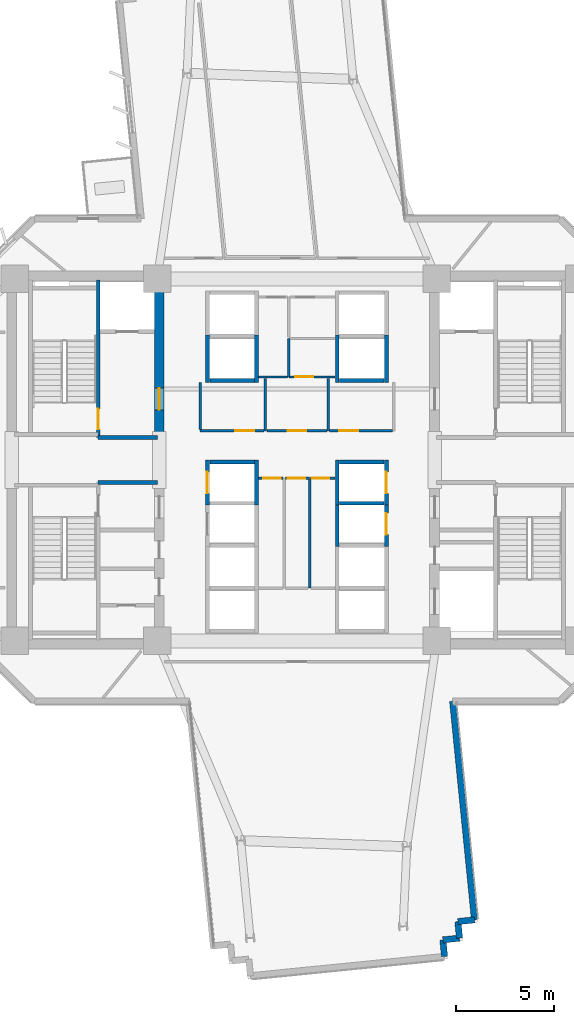
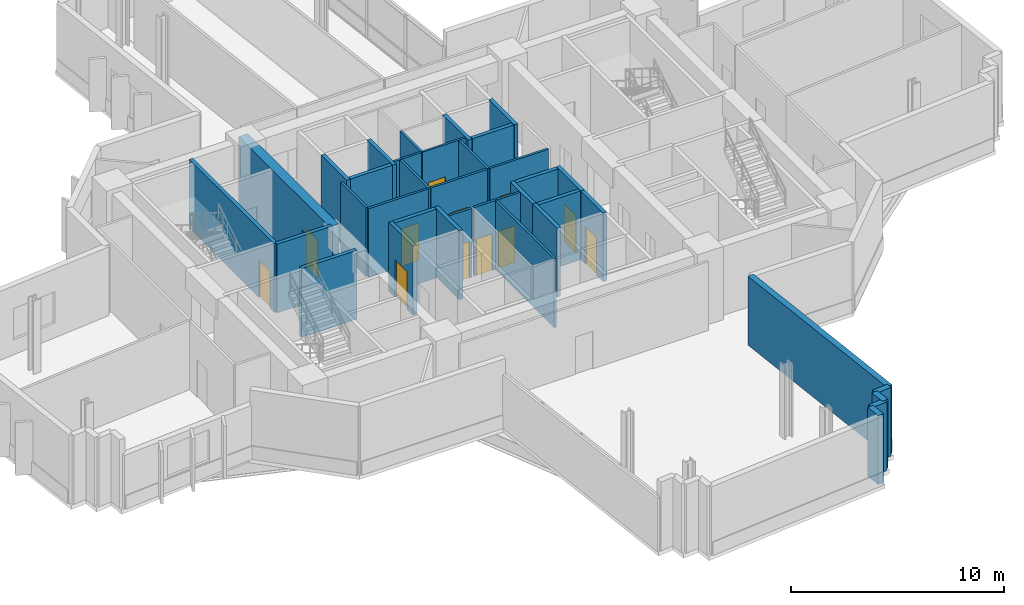
# One storey, part 7 of 14: 37 walls, 12 doors, 12 openings.
"""IFC4 building model written with IfcOpenShell, lengths in metres."""

from ifc_helpers import new_model, si_unit, direction, frame, frame_2d, origin, place, context, subcontext, project, spatial, rectangle, extrude, source, transform, mapped, material, layer, layer_set, type_object, element, fill, save


model = new_model("IFC4")

# Units and contexts
model_context = context("Model", 3, precision=1e-05, world=origin(), true_north=direction((0.0, 1.0)))
body_context = subcontext(model_context, "Body", "Model", "MODEL_VIEW")
ifc_project = project(units=[si_unit("LENGTHUNIT", "METRE"), si_unit("AREAUNIT", "SQUARE_METRE"), si_unit("VOLUMEUNIT", "CUBIC_METRE"), si_unit("PLANEANGLEUNIT", "RADIAN"), si_unit("MASSUNIT", "GRAM", prefix="KILO")], contexts=[model_context])

# Site, building, storey
site_placement = place(None, origin())
site = spatial("IfcSite", under=ifc_project, at=site_placement, CompositionType="ELEMENT")
building_placement = place(site_placement, origin())
building = spatial("IfcBuilding", under=site, at=building_placement, Name="Zahravan Cultural Tower", CompositionType="ELEMENT")
storey_placement = place(building_placement, frame((0.0, 0.0, 96.300048828125)))
storey = spatial("IfcBuildingStorey", under=building, at=storey_placement, Name="L21", CompositionType="ELEMENT", Elevation=96.300048828125)

# Wall, opening, door
ifc_material_1 = material(Name="Concrete C60/75", Category="concrete")
ifc_layer_1 = layer(ifc_material_1, 0.5)
ifc_layer_set_1 = layer_set([ifc_layer_1], Name="Concrete C60/75")
wall_type_1 = type_object("IfcWallType", Name="CW-SHEAR-500-C60", PredefinedType="SHEAR", material=ifc_layer_set_1)
wall_1_placement = place(storey_placement, frame((29.0, 28.050048828125, 0.0), z_axis=(0.0, 0.0, 1.0), x_axis=(0.0, 1.0, 0.0)))
wall_1 = element("IfcWall", 1, at=wall_1_placement, inside=storey, type_object=wall_type_1, Name="L21 Core Shear Wall CW-W-EN-L21", PredefinedType="SHEAR", context=body_context, shape_type="SweptSolid", body=[
    extrude(rectangle(XDim=8.550048828125, YDim=0.5, at=frame_2d((4.27490234375, 0.0))), origin(), (0.0, 0.0, 1.0), 3.949951171875),
])
opening_1_placement = place(wall_1_placement, frame((1.5, 0.0, 0.0)))
opening_1 = element("IfcOpeningElement", 2, at=opening_1_placement, cuts=wall_1, Name="Opening D-L21-05", PredefinedType="OPENING", context=body_context, shape_type="SweptSolid", body=[
    extrude(rectangle(XDim=1.10009765625, YDim=2.199951171875, at=frame_2d((0.550048828125, 1.10009765625))), frame((0.0, 0.260009765625, 0.0), z_axis=(0.0, -1.0, 0.0), x_axis=(1.0, 0.0, 0.0)), (0.0, 0.0, 1.0), 0.52001953125),
])
ifc_material_2 = material(Name="Steel ASTM A572 Grade 50", Category="steel")
door_type_1 = type_object("IfcDoorType", Name="DR-LOBBY-1100", OperationType="NOTDEFINED", PredefinedType="DOOR", material=ifc_material_2)
shared_shape_1 = source(origin(), body_context, "Body", "SweptSolid", [
    extrude(rectangle(XDim=1.10009765625, YDim=2.199951171875, at=frame_2d((0.550048828125, 1.10009765625))), frame((0.0, 0.02490234375, 0.0), z_axis=(0.0, -1.0, 0.0), x_axis=(1.0, 0.0, 0.0)), (0.0, 0.0, 1.0), 0.050048828125),
])
door_1_placement = place(opening_1_placement, origin())
door_1 = element("IfcDoor", 3, at=door_1_placement, inside=storey, type_object=door_type_1, Name="L21 Door D-L21-05", OperationType="SINGLE_SWING_RIGHT", OverallHeight=2.199951171875, OverallWidth=1.10009765625, PredefinedType="DOOR", context=body_context, shape_type="MappedRepresentation", body=[
    mapped(shared_shape_1, transform((0.0, 0.0, 0.0), x_axis=(1.0, 0.0, 0.0), y_axis=(0.0, 1.0, 0.0), z_axis=(0.0, 0.0, 1.0), scale=1.0)),
])
fill(opening_1, door_1)

ifc_material_3 = material(Name="Gypsum plasterboard partition")
ifc_layer_2 = layer(ifc_material_3, 0.125)
ifc_layer_set_2 = layer_set([ifc_layer_2], Name="Gypsum plasterboard partition")
wall_type_2 = type_object("IfcWallType", Name="W-PART-125", PredefinedType="PARTITIONING", material=ifc_layer_set_2)
wall_2_placement = place(storey_placement, frame((35.427490234375, 26.080078125, 0.0), z_axis=(0.0, 0.0, 1.0), x_axis=(1.0, 0.0, 0.0)))
wall_2 = element("IfcWall", 4, at=wall_2_placement, inside=storey, type_object=wall_type_2, Name="L21 Interior Wall 077", PredefinedType="PARTITIONING", context=body_context, shape_type="SweptSolid", body=[
    extrude(rectangle(XDim=1.21240234375, YDim=0.125, at=frame_2d((0.606201171875, 0.0))), origin(), (0.0, 0.0, 1.0), 3.949951171875),
])
opening_2_placement = place(wall_2_placement, frame((0.116455078125, 0.0, 0.0)))
opening_2 = element("IfcOpeningElement", 5, at=opening_2_placement, cuts=wall_2, Name="Opening D-L21-16", PredefinedType="OPENING", context=body_context, shape_type="SweptSolid", body=[
    extrude(rectangle(XDim=0.8798828125, YDim=2.10009765625, at=frame_2d((0.43994140625, 1.050048828125))), frame((0.0, 0.072509765625, 0.0), z_axis=(0.0, -1.0, 0.0), x_axis=(1.0, 0.0, 0.0)), (0.0, 0.0, 1.0), 0.14501953125),
])
ifc_material_4 = material(Name="Anodised bronze-aluminium mullion", Category="aluminium")
door_type_2 = type_object("IfcDoorType", Name="DR-ROOM-880", OperationType="NOTDEFINED", PredefinedType="DOOR", material=ifc_material_4)
shared_shape_2 = source(origin(), body_context, "Body", "SweptSolid", [
    extrude(rectangle(XDim=0.8798828125, YDim=2.10009765625, at=frame_2d((0.43994140625, 1.050048828125))), frame((0.0, 0.02490234375, 0.0), z_axis=(0.0, -1.0, 0.0), x_axis=(1.0, 0.0, 0.0)), (0.0, 0.0, 1.0), 0.050048828125),
])
door_2_placement = place(opening_2_placement, origin())
door_2 = element("IfcDoor", 6, at=door_2_placement, inside=storey, type_object=door_type_2, Name="L21 Door D-L21-16", OperationType="SINGLE_SWING_LEFT", OverallHeight=2.10009765625, OverallWidth=0.8798828125, PredefinedType="DOOR", context=body_context, shape_type="MappedRepresentation", body=[
    mapped(shared_shape_2, transform((0.0, 0.0, 0.0), x_axis=(1.0, 0.0, 0.0), y_axis=(0.0, 1.0, 0.0), z_axis=(0.0, 0.0, 1.0), scale=1.0)),
])
fill(opening_2, door_2)

wall_3_placement = place(storey_placement, frame((34.054931640625, 26.080078125, 0.0), z_axis=(0.0, 0.0, 1.0), x_axis=(1.0, 0.0, 0.0)))
wall_3 = element("IfcWall", 7, at=wall_3_placement, inside=storey, type_object=wall_type_2, Name="L21 Interior Wall 080", PredefinedType="PARTITIONING", context=body_context, shape_type="SweptSolid", body=[
    extrude(rectangle(XDim=1.237548828125, YDim=0.125, at=frame_2d((0.61865234375, 0.0))), origin(), (0.0, 0.0, 1.0), 3.949951171875),
])
opening_3_placement = place(wall_3_placement, frame((0.232421875, 0.0, 0.0)))
opening_3 = element("IfcOpeningElement", 8, at=opening_3_placement, cuts=wall_3, Name="Opening D-L21-15", PredefinedType="OPENING", context=body_context, shape_type="SweptSolid", body=[
    extrude(rectangle(XDim=0.8798828125, YDim=2.10009765625, at=frame_2d((0.43994140625, 1.050048828125))), frame((0.0, 0.072509765625, 0.0), z_axis=(0.0, -1.0, 0.0), x_axis=(1.0, 0.0, 0.0)), (0.0, 0.0, 1.0), 0.14501953125),
])
door_3_placement = place(opening_3_placement, origin())
door_3 = element("IfcDoor", 9, at=door_3_placement, inside=storey, type_object=door_type_2, Name="L21 Door D-L21-15", OperationType="SINGLE_SWING_RIGHT", OverallHeight=2.10009765625, OverallWidth=0.8798828125, PredefinedType="DOOR", context=body_context, shape_type="MappedRepresentation", body=[
    mapped(shared_shape_2, transform((0.0, 0.0, 0.0), x_axis=(1.0, 0.0, 0.0), y_axis=(0.0, 1.0, 0.0), z_axis=(0.0, 0.0, 1.0), scale=1.0)),
])
fill(opening_3, door_3)

wall_4_placement = place(storey_placement, frame((36.679931640625, 26.080078125, 0.0), z_axis=(0.0, 0.0, 1.0), x_axis=(1.0, 0.0, 0.0)))
wall_4 = element("IfcWall", 10, at=wall_4_placement, inside=storey, type_object=wall_type_2, Name="L21 Interior Wall 082", PredefinedType="PARTITIONING", context=body_context, shape_type="SweptSolid", body=[
    extrude(rectangle(XDim=1.26513671875, YDim=0.125, at=frame_2d((0.632568359375, 0.0))), origin(), (0.0, 0.0, 1.0), 3.949951171875),
])
opening_4_placement = place(wall_4_placement, frame((0.09033203125, 0.0, 0.0)))
opening_4 = element("IfcOpeningElement", 11, at=opening_4_placement, cuts=wall_4, Name="Opening D-L21-17", PredefinedType="OPENING", context=body_context, shape_type="SweptSolid", body=[
    extrude(rectangle(XDim=0.8798828125, YDim=2.10009765625, at=frame_2d((0.43994140625, 1.050048828125))), frame((0.0, 0.072509765625, 0.0), z_axis=(0.0, -1.0, 0.0), x_axis=(1.0, 0.0, 0.0)), (0.0, 0.0, 1.0), 0.14501953125),
])
door_4_placement = place(opening_4_placement, origin())
door_4 = element("IfcDoor", 12, at=door_4_placement, inside=storey, type_object=door_type_2, Name="L21 Door D-L21-17", OperationType="SINGLE_SWING_RIGHT", OverallHeight=2.10009765625, OverallWidth=0.8798828125, PredefinedType="DOOR", context=body_context, shape_type="MappedRepresentation", body=[
    mapped(shared_shape_2, transform((0.0, 0.0, 0.0), x_axis=(1.0, 0.0, 0.0), y_axis=(0.0, 1.0, 0.0), z_axis=(0.0, 0.0, 1.0), scale=1.0)),
])
fill(opening_4, door_4)

wall_5_placement = place(storey_placement, frame((37.532470703125, 28.47998046875, 0.0), z_axis=(0.0, 0.0, 1.0), x_axis=(-1.0, 0.0, 0.0)))
wall_5 = element("IfcWall", 13, at=wall_5_placement, inside=storey, type_object=wall_type_2, Name="L21 Interior Wall 086", PredefinedType="PARTITIONING", context=body_context, shape_type="SweptSolid", body=[
    extrude(rectangle(XDim=3.06494140625, YDim=0.125, at=frame_2d((1.532470703125, 0.0))), origin(), (0.0, 0.0, 1.0), 3.949951171875),
])
opening_5_placement = place(wall_5_placement, frame((1.0576171875, 0.0, 0.0)))
opening_5 = element("IfcOpeningElement", 14, at=opening_5_placement, cuts=wall_5, Name="Opening D-L21-19", PredefinedType="OPENING", context=body_context, shape_type="SweptSolid", body=[
    extrude(rectangle(XDim=0.949951171875, YDim=2.14990234375, at=frame_2d((0.47509765625, 1.074951171875))), frame((0.0, 0.072509765625, 0.0), z_axis=(0.0, -1.0, 0.0), x_axis=(1.0, 0.0, 0.0)), (0.0, 0.0, 1.0), 0.14501953125),
])
door_type_3 = type_object("IfcDoorType", Name="DR-ROOM-950", OperationType="NOTDEFINED", PredefinedType="DOOR", material=ifc_material_4)
shared_shape_3 = source(origin(), body_context, "Body", "SweptSolid", [
    extrude(rectangle(XDim=0.949951171875, YDim=2.14990234375, at=frame_2d((0.47509765625, 1.074951171875))), frame((0.0, 0.02490234375, 0.0), z_axis=(0.0, -1.0, 0.0), x_axis=(1.0, 0.0, 0.0)), (0.0, 0.0, 1.0), 0.050048828125),
])
door_5_placement = place(opening_5_placement, origin())
door_5 = element("IfcDoor", 15, at=door_5_placement, inside=storey, type_object=door_type_3, Name="L21 Door D-L21-19", OperationType="SINGLE_SWING_RIGHT", OverallHeight=2.14990234375, OverallWidth=0.949951171875, PredefinedType="DOOR", context=body_context, shape_type="MappedRepresentation", body=[
    mapped(shared_shape_3, transform((0.0, 0.0, 0.0), x_axis=(1.0, 0.0, 0.0), y_axis=(0.0, 1.0, 0.0), z_axis=(0.0, 0.0, 1.0), scale=1.0)),
])
fill(opening_5, door_5)

wall_6_placement = place(storey_placement, frame((34.33251953125, 28.47998046875, 0.0), z_axis=(0.0, 0.0, 1.0), x_axis=(-1.0, 0.0, 0.0)))
wall_6 = element("IfcWall", 16, at=wall_6_placement, inside=storey, type_object=wall_type_2, Name="L21 Interior Wall 087", PredefinedType="PARTITIONING", context=body_context, shape_type="SweptSolid", body=[
    extrude(rectangle(XDim=3.25244140625, YDim=0.125, at=frame_2d((1.626220703125, 0.0))), origin(), (0.0, 0.0, 1.0), 3.949951171875),
])
opening_6_placement = place(wall_6_placement, frame((0.506591796875, 0.0, 0.0)))
opening_6 = element("IfcOpeningElement", 17, at=opening_6_placement, cuts=wall_6, Name="Opening D-L21-18", PredefinedType="OPENING", context=body_context, shape_type="SweptSolid", body=[
    extrude(rectangle(XDim=0.949951171875, YDim=2.14990234375, at=frame_2d((0.47509765625, 1.074951171875))), frame((0.0, 0.072509765625, 0.0), z_axis=(0.0, -1.0, 0.0), x_axis=(1.0, 0.0, 0.0)), (0.0, 0.0, 1.0), 0.14501953125),
])
door_6_placement = place(opening_6_placement, origin())
door_6 = element("IfcDoor", 18, at=door_6_placement, inside=storey, type_object=door_type_3, Name="L21 Door D-L21-18", OperationType="SINGLE_SWING_LEFT", OverallHeight=2.14990234375, OverallWidth=0.949951171875, PredefinedType="DOOR", context=body_context, shape_type="MappedRepresentation", body=[
    mapped(shared_shape_3, transform((0.0, 0.0, 0.0), x_axis=(1.0, 0.0, 0.0), y_axis=(0.0, 1.0, 0.0), z_axis=(0.0, 0.0, 1.0), scale=1.0)),
])
fill(opening_6, door_6)

wall_7_placement = place(storey_placement, frame((40.8525390625, 28.47998046875, 0.0), z_axis=(0.0, 0.0, 1.0), x_axis=(-1.0, 0.0, 0.0)))
wall_7 = element("IfcWall", 19, at=wall_7_placement, inside=storey, type_object=wall_type_2, Name="L21 Interior Wall 090", PredefinedType="PARTITIONING", context=body_context, shape_type="SweptSolid", body=[
    extrude(rectangle(XDim=3.18505859375, YDim=0.125, at=frame_2d((1.592529296875, 0.0))), origin(), (0.0, 0.0, 1.0), 3.949951171875),
])
opening_7_placement = place(wall_7_placement, frame((1.743408203125, 0.0, 0.0)))
opening_7 = element("IfcOpeningElement", 20, at=opening_7_placement, cuts=wall_7, Name="Opening D-L21-20", PredefinedType="OPENING", context=body_context, shape_type="SweptSolid", body=[
    extrude(rectangle(XDim=0.949951171875, YDim=2.14990234375, at=frame_2d((0.47509765625, 1.074951171875))), frame((0.0, 0.072509765625, 0.0), z_axis=(0.0, -1.0, 0.0), x_axis=(1.0, 0.0, 0.0)), (0.0, 0.0, 1.0), 0.14501953125),
])
door_7_placement = place(opening_7_placement, origin())
door_7 = element("IfcDoor", 21, at=door_7_placement, inside=storey, type_object=door_type_3, Name="L21 Door D-L21-20", OperationType="SINGLE_SWING_LEFT", OverallHeight=2.14990234375, OverallWidth=0.949951171875, PredefinedType="DOOR", context=body_context, shape_type="MappedRepresentation", body=[
    mapped(shared_shape_3, transform((0.0, 0.0, 0.0), x_axis=(1.0, 0.0, 0.0), y_axis=(0.0, 1.0, 0.0), z_axis=(0.0, 0.0, 1.0), scale=1.0)),
])
fill(opening_7, door_7)

ifc_material_5 = material(Name="Concrete C45/55", Category="concrete")
ifc_layer_3 = layer(ifc_material_5, 0.199951171875)
ifc_layer_set_3 = layer_set([ifc_layer_3], Name="Concrete C45/55")
wall_type_3 = type_object("IfcWallType", Name="W-SHAFT-200", PredefinedType="SOLIDWALL", material=ifc_layer_set_3)
wall_8_placement = place(storey_placement, frame((25.89990234375, 28.14990234375, 0.0), z_axis=(0.0, 0.0, 1.0), x_axis=(0.0, 1.0, 0.0)))
wall_8 = element("IfcWall", 22, at=wall_8_placement, inside=storey, type_object=wall_type_3, Name="L21 Interior Wall 006", PredefinedType="SOLIDWALL", context=body_context, shape_type="SweptSolid", body=[
    extrude(rectangle(XDim=8.0, YDim=0.199951171875, at=frame_2d((4.0, 0.0))), origin(), (0.0, 0.0, 1.0), 3.949951171875),
])
opening_8_placement = place(wall_8_placement, frame((0.39990234375, 0.0, 0.0)))
opening_8 = element("IfcOpeningElement", 23, at=opening_8_placement, cuts=wall_8, Name="Opening D-L21-01", PredefinedType="OPENING", context=body_context, shape_type="SweptSolid", body=[
    extrude(rectangle(XDim=1.050048828125, YDim=2.14990234375, at=frame_2d((0.52490234375, 1.074951171875))), frame((0.0, 0.10986328125, 0.0), z_axis=(0.0, -1.0, 0.0), x_axis=(1.0, 0.0, 0.0)), (0.0, 0.0, 1.0), 0.219970703125),
])
door_type_4 = type_object("IfcDoorType", Name="DR-STAIR-1050", OperationType="NOTDEFINED", PredefinedType="DOOR", material=ifc_material_2)
shared_shape_4 = source(origin(), body_context, "Body", "SweptSolid", [
    extrude(rectangle(XDim=1.050048828125, YDim=2.14990234375, at=frame_2d((0.52490234375, 1.074951171875))), frame((0.0, 0.02490234375, 0.0), z_axis=(0.0, -1.0, 0.0), x_axis=(1.0, 0.0, 0.0)), (0.0, 0.0, 1.0), 0.050048828125),
])
door_8_placement = place(opening_8_placement, origin())
door_8 = element("IfcDoor", 24, at=door_8_placement, inside=storey, type_object=door_type_4, Name="L21 Door D-L21-01", OperationType="SINGLE_SWING_RIGHT", OverallHeight=2.14990234375, OverallWidth=1.050048828125, PredefinedType="DOOR", context=body_context, shape_type="MappedRepresentation", body=[
    mapped(shared_shape_4, transform((0.0, 0.0, 0.0), x_axis=(1.0, 0.0, 0.0), y_axis=(0.0, 1.0, 0.0), z_axis=(0.0, 0.0, 1.0), scale=1.0)),
])
fill(opening_8, door_8)

wall_9_placement = place(storey_placement, frame((31.449951171875, 24.699951171875, 0.0), z_axis=(0.0, 0.0, 1.0), x_axis=(0.0, 1.0, 0.0)))
wall_9 = element("IfcWall", 25, at=wall_9_placement, inside=storey, type_object=wall_type_3, Name="L21 Interior Wall 057", PredefinedType="SOLIDWALL", context=body_context, shape_type="SweptSolid", body=[
    extrude(rectangle(XDim=2.300048828125, YDim=0.199951171875, at=frame_2d((1.14990234375, 0.0))), origin(), (0.0, 0.0, 1.0), 3.949951171875),
])
opening_9_placement = place(wall_9_placement, frame((0.60009765625, 0.0, 0.0)))
opening_9 = element("IfcOpeningElement", 26, at=opening_9_placement, cuts=wall_9, Name="Opening LD-L21-04", PredefinedType="OPENING", context=body_context, shape_type="SweptSolid", body=[
    extrude(rectangle(XDim=1.10009765625, YDim=2.14990234375, at=frame_2d((0.550048828125, 1.074951171875))), frame((0.0, 0.10986328125, 0.0), z_axis=(0.0, -1.0, 0.0), x_axis=(1.0, 0.0, 0.0)), (0.0, 0.0, 1.0), 0.219970703125),
])
door_type_5 = type_object("IfcDoorType", Name="DR-LIFT-1100", OperationType="DOUBLE_DOOR_SLIDING", PredefinedType="DOOR", material=ifc_material_2)
shared_shape_5 = source(origin(), body_context, "Body", "SweptSolid", [
    extrude(rectangle(XDim=1.10009765625, YDim=2.14990234375, at=frame_2d((0.550048828125, 1.074951171875))), frame((0.0, 0.02490234375, 0.0), z_axis=(0.0, -1.0, 0.0), x_axis=(1.0, 0.0, 0.0)), (0.0, 0.0, 1.0), 0.050048828125),
])
door_9_placement = place(opening_9_placement, origin())
door_9 = element("IfcDoor", 27, at=door_9_placement, inside=storey, type_object=door_type_5, Name="L21 Door LD-L21-04", OperationType="DOUBLE_DOOR_SLIDING", OverallHeight=2.14990234375, OverallWidth=1.10009765625, PredefinedType="DOOR", context=body_context, shape_type="MappedRepresentation", body=[
    mapped(shared_shape_5, transform((0.0, 0.0, 0.0), x_axis=(1.0, 0.0, 0.0), y_axis=(0.0, 1.0, 0.0), z_axis=(0.0, 0.0, 1.0), scale=1.0)),
])
fill(opening_9, door_9)

wall_10_placement = place(storey_placement, frame((40.550048828125, 24.699951171875, 0.0), z_axis=(0.0, 0.0, 1.0), x_axis=(0.0, 1.0, 0.0)))
wall_10 = element("IfcWall", 28, at=wall_10_placement, inside=storey, type_object=wall_type_3, Name="L21 Interior Wall 064", PredefinedType="SOLIDWALL", context=body_context, shape_type="SweptSolid", body=[
    extrude(rectangle(XDim=2.300048828125, YDim=0.199951171875, at=frame_2d((1.14990234375, 0.0))), origin(), (0.0, 0.0, 1.0), 3.949951171875),
])
opening_10_placement = place(wall_10_placement, frame((0.60009765625, 0.0, 0.0)))
opening_10 = element("IfcOpeningElement", 29, at=opening_10_placement, cuts=wall_10, Name="Opening LD-L21-06", PredefinedType="OPENING", context=body_context, shape_type="SweptSolid", body=[
    extrude(rectangle(XDim=1.10009765625, YDim=2.14990234375, at=frame_2d((0.550048828125, 1.074951171875))), frame((0.0, 0.10986328125, 0.0), z_axis=(0.0, -1.0, 0.0), x_axis=(1.0, 0.0, 0.0)), (0.0, 0.0, 1.0), 0.219970703125),
])
door_10_placement = place(opening_10_placement, origin())
door_10 = element("IfcDoor", 30, at=door_10_placement, inside=storey, type_object=door_type_5, Name="L21 Door LD-L21-06", OperationType="DOUBLE_DOOR_SLIDING", OverallHeight=2.14990234375, OverallWidth=1.10009765625, PredefinedType="DOOR", context=body_context, shape_type="MappedRepresentation", body=[
    mapped(shared_shape_5, transform((0.0, 0.0, 0.0), x_axis=(1.0, 0.0, 0.0), y_axis=(0.0, 1.0, 0.0), z_axis=(0.0, 0.0, 1.0), scale=1.0)),
])
fill(opening_10, door_10)

wall_11_placement = place(storey_placement, frame((40.550048828125, 22.60009765625, 0.0), z_axis=(0.0, 0.0, 1.0), x_axis=(0.0, 1.0, 0.0)))
wall_11 = element("IfcWall", 31, at=wall_11_placement, inside=storey, type_object=wall_type_3, Name="L21 Interior Wall 068", PredefinedType="SOLIDWALL", context=body_context, shape_type="SweptSolid", body=[
    extrude(rectangle(XDim=2.2998046875, YDim=0.199951171875, at=frame_2d((1.14990234375, 0.0))), origin(), (0.0, 0.0, 1.0), 3.949951171875),
])
opening_11_placement = place(wall_11_placement, frame((0.60009765625, 0.0, 0.0)))
opening_11 = element("IfcOpeningElement", 32, at=opening_11_placement, cuts=wall_11, Name="Opening LD-L21-07", PredefinedType="OPENING", context=body_context, shape_type="SweptSolid", body=[
    extrude(rectangle(XDim=1.10009765625, YDim=2.14990234375, at=frame_2d((0.550048828125, 1.074951171875))), frame((0.0, 0.10986328125, 0.0), z_axis=(0.0, -1.0, 0.0), x_axis=(1.0, 0.0, 0.0)), (0.0, 0.0, 1.0), 0.219970703125),
])
door_11_placement = place(opening_11_placement, origin())
door_11 = element("IfcDoor", 33, at=door_11_placement, inside=storey, type_object=door_type_5, Name="L21 Door LD-L21-07", OperationType="DOUBLE_DOOR_SLIDING", OverallHeight=2.14990234375, OverallWidth=1.10009765625, PredefinedType="DOOR", context=body_context, shape_type="MappedRepresentation", body=[
    mapped(shared_shape_5, transform((0.0, 0.0, 0.0), x_axis=(1.0, 0.0, 0.0), y_axis=(0.0, 1.0, 0.0), z_axis=(0.0, 0.0, 1.0), scale=1.0)),
])
fill(opening_11, door_11)

ifc_layer_4 = layer(ifc_material_3, 0.114990234375)
ifc_layer_set_4 = layer_set([ifc_layer_4], Name="Gypsum plasterboard partition")
wall_type_4 = type_object("IfcWallType", Name="W-WC-115", PredefinedType="PARTITIONING", material=ifc_layer_set_4)
wall_12_placement = place(storey_placement, frame((37.945068359375, 31.219970703125, 0.0), z_axis=(0.0, 0.0, 1.0), x_axis=(-1.0, 0.0, 0.0)))
wall_12 = element("IfcWall", 34, at=wall_12_placement, inside=storey, type_object=wall_type_4, Name="L21 Interior Wall 069", PredefinedType="PARTITIONING", context=body_context, shape_type="SweptSolid", body=[
    extrude(rectangle(XDim=2.35498046875, YDim=0.114990234375, at=frame_2d((1.177490234375, 0.0))), origin(), (0.0, 0.0, 1.0), 3.949951171875),
])
opening_12_placement = place(wall_12_placement, frame((1.120849609375, 0.0, 0.0)))
opening_12 = element("IfcOpeningElement", 35, at=opening_12_placement, cuts=wall_12, Name="Opening D-L21-30", PredefinedType="OPENING", context=body_context, shape_type="SweptSolid", body=[
    extrude(rectangle(XDim=0.89990234375, YDim=2.10009765625, at=frame_2d((0.449951171875, 1.050048828125))), frame((0.0, 0.0673828125, 0.0), z_axis=(0.0, -1.0, 0.0), x_axis=(1.0, 0.0, 0.0)), (0.0, 0.0, 1.0), 0.135009765625),
])
door_type_6 = type_object("IfcDoorType", Name="DR-WC-900", OperationType="NOTDEFINED", PredefinedType="DOOR", material=ifc_material_4)
shared_shape_6 = source(origin(), body_context, "Body", "SweptSolid", [
    extrude(rectangle(XDim=0.89990234375, YDim=2.10009765625, at=frame_2d((0.449951171875, 1.050048828125))), frame((0.0, 0.02490234375, 0.0), z_axis=(0.0, -1.0, 0.0), x_axis=(1.0, 0.0, 0.0)), (0.0, 0.0, 1.0), 0.050048828125),
])
door_12_placement = place(opening_12_placement, origin())
door_12 = element("IfcDoor", 36, at=door_12_placement, inside=storey, type_object=door_type_6, Name="L21 Door D-L21-30", OperationType="SINGLE_SWING_LEFT", OverallHeight=2.10009765625, OverallWidth=0.89990234375, PredefinedType="DOOR", context=body_context, shape_type="MappedRepresentation", body=[
    mapped(shared_shape_6, transform((0.0, 0.0, 0.0), x_axis=(1.0, 0.0, 0.0), y_axis=(0.0, 1.0, 0.0), z_axis=(0.0, 0.0, 1.0), scale=1.0)),
])
fill(opening_12, door_12)

# Walls
ifc_material_6 = material(Name="Precast concrete C40/50", Category="concrete")
ifc_layer_5 = layer(ifc_material_6, 0.320068359375)
ifc_layer_set_5 = layer_set([ifc_layer_5], Name="Precast concrete C40/50")
wall_type_5 = type_object("IfcWallType", Name="EW-TC-320", PredefinedType="SOLIDWALL", material=ifc_layer_set_5)
shared_shape_7 = source(origin(), body_context, "Body", "SweptSolid", [
    extrude(rectangle(XDim=0.849853515625, YDim=0.320068359375, at=frame_2d((0.4248046875, 0.0))), origin(), (0.0, 0.0, 1.0), 3.949951171875),
])
for number, where, z_axis, x_axis, name in (
    (37, (45.026611328125, 3.620849609375, 0.0), (0.0, 0.0, 1.0), (-0.995076929088, -0.099105525559, 0.0), "L21 Exterior Masonry Frame Wall 42"),
    (38, (43.41943359375, 2.606201171875, 0.0), (0.0, 0.0, 1.0), (0.09938995433, -0.995048560111, 0.0), "L21 Exterior Masonry Frame Wall 45"),
):
    element("IfcWall", number, at=place(storey_placement, frame(where, z_axis=z_axis, x_axis=x_axis)), inside=storey, type_object=wall_type_5, Name=name, PredefinedType="SOLIDWALL", context=body_context, shape_type="MappedRepresentation", body=[
        mapped(shared_shape_7, transform((0.0, 0.0, 0.0), x_axis=(1.0, 0.0, 0.0), y_axis=(0.0, 1.0, 0.0), z_axis=(0.0, 0.0, 1.0), scale=1.0)),
    ])
shared_shape_8 = source(origin(), body_context, "Body", "SweptSolid", [
    extrude(rectangle(XDim=0.85009765625, YDim=0.320068359375, at=frame_2d((0.425048828125, 0.0))), origin(), (0.0, 0.0, 1.0), 3.949951171875),
])
for number, where, z_axis, x_axis, name in (
    (39, (44.180908203125, 3.53662109375, 0.0), (0.0, 0.0, 1.0), (0.099361553589, -0.995051396496, 0.0), "L21 Exterior Masonry Frame Wall 43"),
    (40, (44.265380859375, 2.690673828125, 0.0), (0.0, 0.0, 1.0), (-0.995051396496, -0.099361553589, 0.0), "L21 Exterior Masonry Frame Wall 44"),
):
    element("IfcWall", number, at=place(storey_placement, frame(where, z_axis=z_axis, x_axis=x_axis)), inside=storey, type_object=wall_type_5, Name=name, PredefinedType="SOLIDWALL", context=body_context, shape_type="MappedRepresentation", body=[
        mapped(shared_shape_8, transform((0.0, 0.0, 0.0), x_axis=(1.0, 0.0, 0.0), y_axis=(0.0, 1.0, 0.0), z_axis=(0.0, 0.0, 1.0), scale=1.0)),
    ])
shared_shape_9 = source(origin(), body_context, "Body", "SweptSolid", [
    extrude(rectangle(XDim=11.17431640625, YDim=0.320068359375, at=frame_2d((5.587158203125, 0.0))), origin(), (0.0, 0.0, 1.0), 3.949951171875),
])
wall_13_placement = place(storey_placement, frame((43.916748046875, 14.739990234375, 0.0), z_axis=(0.0, 0.0, 1.0), x_axis=(0.099322009391, -0.995055344416, 0.0)))
element("IfcWall", 41, at=wall_13_placement, inside=storey, type_object=wall_type_5, Name="L21 Exterior Masonry Frame Wall 41", PredefinedType="SOLIDWALL", context=body_context, shape_type="MappedRepresentation", body=[
    mapped(shared_shape_9, transform((0.0, 0.0, 0.0), x_axis=(1.0, 0.0, 0.0), y_axis=(0.0, 1.0, 0.0), z_axis=(0.0, 0.0, 1.0), scale=1.0)),
])
shared_shape_10 = source(origin(), body_context, "Body", "SweptSolid", [
    extrude(rectangle(XDim=3.0, YDim=0.199951171875, at=frame_2d((1.5, 0.0))), origin(), (0.0, 0.0, 1.0), 3.949951171875),
])
for number, where, z_axis, x_axis, name in (
    (42, (25.89990234375, 25.85009765625, 0.0), (0.0, 0.0, 1.0), (1.0, 0.0, 0.0), "L21 Interior Wall 010"),
    (43, (25.89990234375, 28.14990234375, 0.0), (0.0, 0.0, 1.0), (1.0, 0.0, 0.0), "L21 Interior Wall 012"),
):
    element("IfcWall", number, at=place(storey_placement, frame(where, z_axis=z_axis, x_axis=x_axis)), inside=storey, type_object=wall_type_3, Name=name, PredefinedType="SOLIDWALL", context=body_context, shape_type="MappedRepresentation", body=[
        mapped(shared_shape_10, transform((0.0, 0.0, 0.0), x_axis=(1.0, 0.0, 0.0), y_axis=(0.0, 1.0, 0.0), z_axis=(0.0, 0.0, 1.0), scale=1.0)),
    ])
shared_shape_11 = source(origin(), body_context, "Body", "SweptSolid", [
    extrude(rectangle(XDim=2.400146484375, YDim=0.199951171875, at=frame_2d((1.2001953125, 0.0))), origin(), (0.0, 0.0, 1.0), 3.949951171875),
])
for number, where, z_axis, x_axis, name in (
    (44, (31.449951171875, 30.949951171875, 0.0), (0.0, 0.0, 1.0), (0.0, 1.0, 0.0), "L21 Interior Wall 033"),
    (45, (33.949951171875, 30.949951171875, 0.0), (0.0, 0.0, 1.0), (0.0, 1.0, 0.0), "L21 Interior Wall 034"),
    (46, (38.050048828125, 30.949951171875, 0.0), (0.0, 0.0, 1.0), (0.0, 1.0, 0.0), "L21 Interior Wall 040"),
    (47, (40.550048828125, 30.949951171875, 0.0), (0.0, 0.0, 1.0), (0.0, 1.0, 0.0), "L21 Interior Wall 041"),
):
    element("IfcWall", number, at=place(storey_placement, frame(where, z_axis=z_axis, x_axis=x_axis)), inside=storey, type_object=wall_type_3, Name=name, PredefinedType="SOLIDWALL", context=body_context, shape_type="MappedRepresentation", body=[
        mapped(shared_shape_11, transform((0.0, 0.0, 0.0), x_axis=(1.0, 0.0, 0.0), y_axis=(0.0, 1.0, 0.0), z_axis=(0.0, 0.0, 1.0), scale=1.0)),
    ])
shared_shape_12 = source(origin(), body_context, "Body", "SweptSolid", [
    extrude(rectangle(XDim=2.260009765625, YDim=0.199951171875, at=frame_2d((1.1298828125, 0.0))), origin(), (0.0, 0.0, 1.0), 3.949951171875),
])
for number, where, z_axis, x_axis, name in (
    (48, (31.570068359375, 31.050048828125, 0.0), (0.0, 0.0, 1.0), (1.0, 0.0, 0.0), "L21 Interior Wall 035"),
    (49, (38.169921875, 31.050048828125, 0.0), (0.0, 0.0, 1.0), (1.0, 0.0, 0.0), "L21 Interior Wall 042"),
    (50, (31.570068359375, 26.89990234375, 0.0), (0.0, 0.0, 1.0), (1.0, 0.0, 0.0), "L21 Interior Wall 060"),
    (51, (38.169921875, 24.800048828125, 0.0), (0.0, 0.0, 1.0), (1.0, 0.0, 0.0), "L21 Interior Wall 065"),
    (52, (38.169921875, 26.89990234375, 0.0), (0.0, 0.0, 1.0), (1.0, 0.0, 0.0), "L21 Interior Wall 066"),
):
    element("IfcWall", number, at=place(storey_placement, frame(where, z_axis=z_axis, x_axis=x_axis)), inside=storey, type_object=wall_type_3, Name=name, PredefinedType="SOLIDWALL", context=body_context, shape_type="MappedRepresentation", body=[
        mapped(shared_shape_12, transform((0.0, 0.0, 0.0), x_axis=(1.0, 0.0, 0.0), y_axis=(0.0, 1.0, 0.0), z_axis=(0.0, 0.0, 1.0), scale=1.0)),
    ])
shared_shape_13 = source(origin(), body_context, "Body", "SweptSolid", [
    extrude(rectangle(XDim=2.300048828125, YDim=0.199951171875, at=frame_2d((1.14990234375, 0.0))), origin(), (0.0, 0.0, 1.0), 3.949951171875),
])
for number, where, z_axis, x_axis, name in (
    (53, (33.949951171875, 24.699951171875, 0.0), (0.0, 0.0, 1.0), (0.0, 1.0, 0.0), "L21 Interior Wall 058"),
    (54, (38.050048828125, 24.699951171875, 0.0), (0.0, 0.0, 1.0), (0.0, 1.0, 0.0), "L21 Interior Wall 063"),
):
    element("IfcWall", number, at=place(storey_placement, frame(where, z_axis=z_axis, x_axis=x_axis)), inside=storey, type_object=wall_type_3, Name=name, PredefinedType="SOLIDWALL", context=body_context, shape_type="MappedRepresentation", body=[
        mapped(shared_shape_13, transform((0.0, 0.0, 0.0), x_axis=(1.0, 0.0, 0.0), y_axis=(0.0, 1.0, 0.0), z_axis=(0.0, 0.0, 1.0), scale=1.0)),
    ])
shared_shape_14 = source(origin(), body_context, "Body", "SweptSolid", [
    extrude(rectangle(XDim=2.2998046875, YDim=0.199951171875, at=frame_2d((1.14990234375, 0.0))), origin(), (0.0, 0.0, 1.0), 3.949951171875),
])
wall_14_placement = place(storey_placement, frame((38.050048828125, 22.60009765625, 0.0), z_axis=(0.0, 0.0, 1.0), x_axis=(0.0, 1.0, 0.0)))
element("IfcWall", 55, at=wall_14_placement, inside=storey, type_object=wall_type_3, Name="L21 Interior Wall 067", PredefinedType="SOLIDWALL", context=body_context, shape_type="MappedRepresentation", body=[
    mapped(shared_shape_14, transform((0.0, 0.0, 0.0), x_axis=(1.0, 0.0, 0.0), y_axis=(0.0, 1.0, 0.0), z_axis=(0.0, 0.0, 1.0), scale=1.0)),
])
shared_shape_15 = source(origin(), body_context, "Body", "SweptSolid", [
    extrude(rectangle(XDim=1.9599609375, YDim=0.114990234375, at=frame_2d((0.97998046875, 0.0))), origin(), (0.0, 0.0, 1.0), 3.949951171875),
])
wall_15_placement = place(storey_placement, frame((35.590087890625, 31.219970703125, 0.0), z_axis=(0.0, 0.0, 1.0), x_axis=(0.0, 1.0, 0.0)))
element("IfcWall", 56, at=wall_15_placement, inside=storey, type_object=wall_type_4, Name="L21 Interior Wall 070", PredefinedType="PARTITIONING", context=body_context, shape_type="MappedRepresentation", body=[
    mapped(shared_shape_15, transform((0.0, 0.0, 0.0), x_axis=(1.0, 0.0, 0.0), y_axis=(0.0, 1.0, 0.0), z_axis=(0.0, 0.0, 1.0), scale=1.0)),
])
shared_shape_16 = source(origin(), body_context, "Body", "SweptSolid", [
    extrude(rectangle(XDim=1.47265625, YDim=0.114990234375, at=frame_2d((0.736328125, 0.0))), origin(), (0.0, 0.0, 1.0), 3.949951171875),
])
wall_16_placement = place(storey_placement, frame((35.527587890625, 31.219970703125, 0.0), z_axis=(0.0, 0.0, 1.0), x_axis=(-1.0, 0.0, 0.0)))
element("IfcWall", 57, at=wall_16_placement, inside=storey, type_object=wall_type_4, Name="L21 Interior Wall 074", PredefinedType="PARTITIONING", context=body_context, shape_type="MappedRepresentation", body=[
    mapped(shared_shape_16, transform((0.0, 0.0, 0.0), x_axis=(1.0, 0.0, 0.0), y_axis=(0.0, 1.0, 0.0), z_axis=(0.0, 0.0, 1.0), scale=1.0)),
])
shared_shape_17 = source(origin(), body_context, "Body", "SweptSolid", [
    extrude(rectangle(XDim=5.5224609375, YDim=0.125, at=frame_2d((2.76123046875, 0.0))), origin(), (0.0, 0.0, 1.0), 3.949951171875),
])
wall_17_placement = place(storey_placement, frame((36.639892578125, 26.012451171875, 0.0), z_axis=(0.0, 0.0, 1.0), x_axis=(0.0, -1.0, 0.0)))
element("IfcWall", 58, at=wall_17_placement, inside=storey, type_object=wall_type_2, Name="L21 Interior Wall 078", PredefinedType="PARTITIONING", context=body_context, shape_type="MappedRepresentation", body=[
    mapped(shared_shape_17, transform((0.0, 0.0, 0.0), x_axis=(1.0, 0.0, 0.0), y_axis=(0.0, 1.0, 0.0), z_axis=(0.0, 0.0, 1.0), scale=1.0)),
])
shared_shape_18 = source(origin(), body_context, "Body", "SweptSolid", [
    extrude(rectangle(XDim=2.659912109375, YDim=0.125, at=frame_2d((1.330078125, 0.0))), origin(), (0.0, 0.0, 1.0), 3.949951171875),
])
for number, where, z_axis, x_axis, name in (
    (59, (34.39990234375, 28.47998046875, 0.0), (0.0, 0.0, 1.0), (0.0, 1.0, 0.0), "L21 Interior Wall 084"),
    (60, (37.60009765625, 31.139892578125, 0.0), (0.0, 0.0, 1.0), (0.0, -1.0, 0.0), "L21 Interior Wall 085"),
):
    element("IfcWall", number, at=place(storey_placement, frame(where, z_axis=z_axis, x_axis=x_axis)), inside=storey, type_object=wall_type_2, Name=name, PredefinedType="PARTITIONING", context=body_context, shape_type="MappedRepresentation", body=[
        mapped(shared_shape_18, transform((0.0, 0.0, 0.0), x_axis=(1.0, 0.0, 0.0), y_axis=(0.0, 1.0, 0.0), z_axis=(0.0, 0.0, 1.0), scale=1.0)),
    ])
shared_shape_19 = source(origin(), body_context, "Body", "SweptSolid", [
    extrude(rectangle(XDim=2.40234375, YDim=0.125, at=frame_2d((1.201171875, 0.0))), origin(), (0.0, 0.0, 1.0), 3.949951171875),
])
wall_18_placement = place(storey_placement, frame((31.080078125, 28.547607421875, 0.0), z_axis=(0.0, 0.0, 1.0), x_axis=(0.0, 1.0, 0.0)))
element("IfcWall", 61, at=wall_18_placement, inside=storey, type_object=wall_type_2, Name="L21 Interior Wall 088", PredefinedType="PARTITIONING", context=body_context, shape_type="MappedRepresentation", body=[
    mapped(shared_shape_19, transform((0.0, 0.0, 0.0), x_axis=(1.0, 0.0, 0.0), y_axis=(0.0, 1.0, 0.0), z_axis=(0.0, 0.0, 1.0), scale=1.0)),
])

save(model, "model.ifc")
